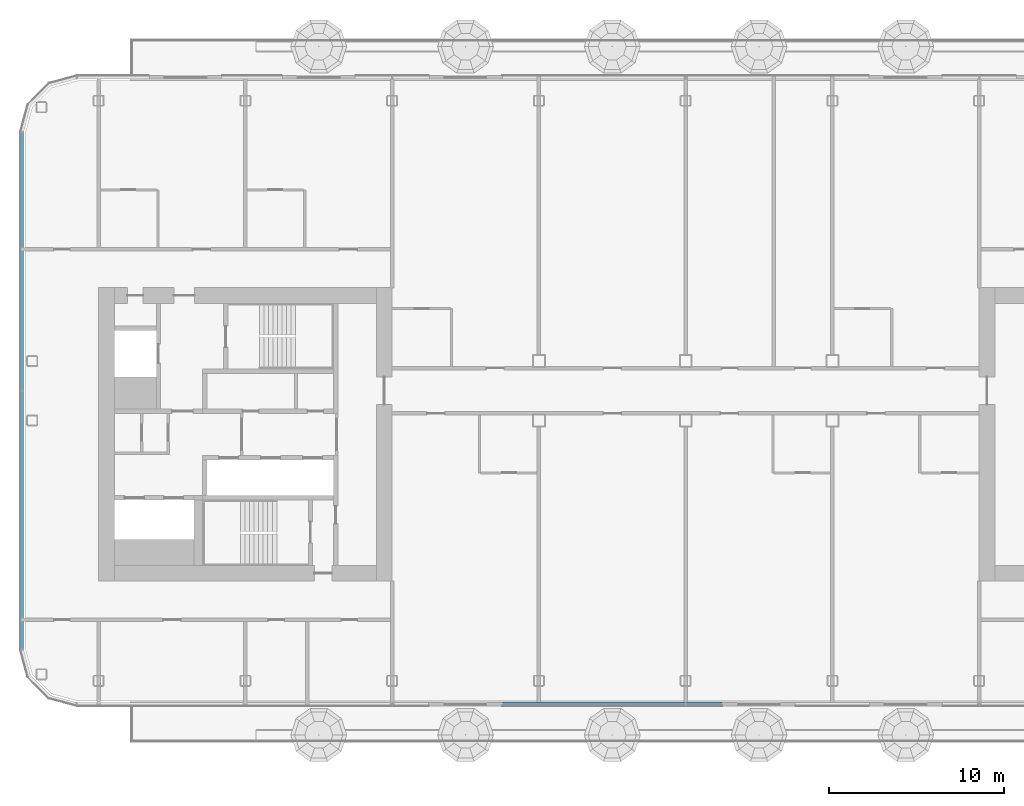
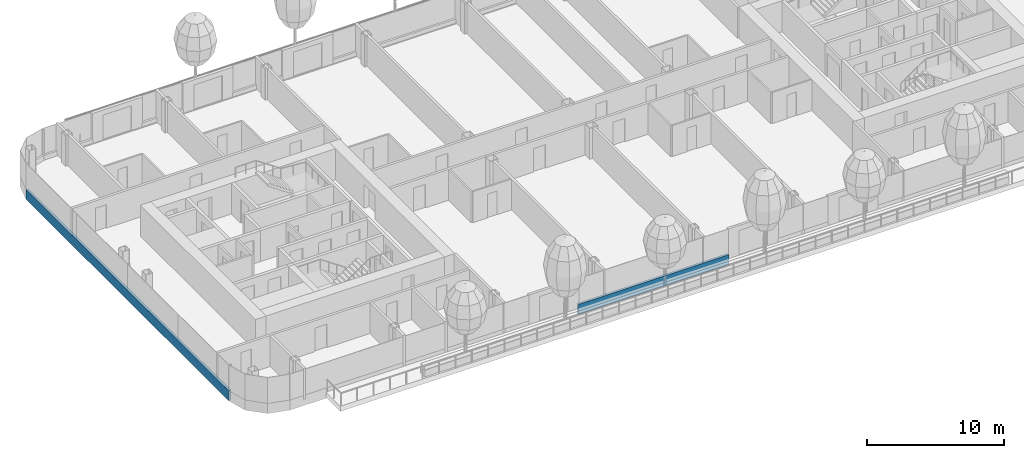
# One storey, part 3 of 28: 2 members, 2 elements without a shape of their own.
"""IFC4 building model written with IfcOpenShell, lengths in metres."""

from ifc_helpers import new_model, si_unit, direction, frame, origin, origin_2d, place, context, subcontext, project, spatial, rectangle, extrude, material, layer, layer_set, material_profile, profile_set, type_object, element, aggregate, save


model = new_model("IFC4")

# Units and contexts
model_context = context("Model", 3, precision=1e-05, world=origin(), true_north=direction((0.0, 1.0)))
body_context = subcontext(model_context, "Body", "Model", "MODEL_VIEW")
ifc_project = project(units=[si_unit("LENGTHUNIT", "METRE"), si_unit("AREAUNIT", "SQUARE_METRE"), si_unit("VOLUMEUNIT", "CUBIC_METRE"), si_unit("PLANEANGLEUNIT", "RADIAN"), si_unit("MASSUNIT", "GRAM", prefix="KILO")], contexts=[model_context])

# Site, building, storey
site_placement = place(None, origin())
site = spatial("IfcSite", under=ifc_project, at=site_placement, CompositionType="ELEMENT")
building_placement = place(site_placement, origin())
building = spatial("IfcBuilding", under=site, at=building_placement, Name="Hakoniwa Tower and Hamabe Station Hall", CompositionType="ELEMENT")
storey_placement = place(building_placement, frame((0.0, 0.0, 218.60009765625)))
storey = spatial("IfcBuildingStorey", under=building, at=storey_placement, Name="L62", CompositionType="ELEMENT", Elevation=218.60009765625)

# Curtain wall, member
ifc_material_1 = material(Name="Dark low-e laminated glass", Category="glass")
ifc_layer = layer(ifc_material_1, 0.199951171875)
ifc_layer_set = layer_set([ifc_layer], Name="CW-1 UNITISED GUEST")
curtain_wall_type = type_object("IfcCurtainWallType", Name="CW-1 UNITISED GUEST", PredefinedType="NOTDEFINED", material=ifc_layer_set)
curtain_wall_1_placement = place(storey_placement, origin())
curtain_wall_1 = element("IfcCurtainWall", 1, at=curtain_wall_1_placement, inside=storey, type_object=curtain_wall_type, Name="CW-1 curtain wall", PredefinedType="NOTDEFINED")
ifc_material_2 = material(Name="Aluminium 6063-T5 black anodised", Category="aluminium")
ifc_material_profile = material_profile(ifc_material_2, rectangle(XDim=0.199951171875, YDim=0.89990234375, at=origin_2d()), Name="CW SLAB-EDGE BAND 900X200")
ifc_profile_set = profile_set([ifc_material_profile], Name="Aluminium 6063-T5 black anodised")
member_type = type_object("IfcMemberType", Name="CW SLAB-EDGE BAND 900X200", PredefinedType="USERDEFINED", material=ifc_profile_set)
member_1_placement = place(storey_placement, frame((-38.0, 17.28955078125, -0.10009765625), z_axis=(0.0, -1.0, 0.0), x_axis=(1.0, 0.0, 0.0)))
member_1 = element("IfcMember", 2, at=member_1_placement, type_object=member_type, Name="CW-1 transom", ObjectType="TRANSOM", PredefinedType="USERDEFINED", context=body_context, shape_type="SweptSolid", body=[
    extrude(rectangle(XDim=0.199951171875, YDim=0.89990234375, at=origin_2d()), origin(), (0.0, 0.0, 1.0), 29.5791015625),
])
aggregate(curtain_wall_1, [member_1])

curtain_wall_2_placement = place(storey_placement, origin())
curtain_wall_2 = element("IfcCurtainWall", 3, at=curtain_wall_2_placement, inside=storey, type_object=curtain_wall_type, Name="CW-1 curtain wall", PredefinedType="NOTDEFINED")
member_2_placement = place(storey_placement, frame((-10.530029296875, -15.449951171875, -0.10009765625), z_axis=(1.0, 0.0, 0.0), x_axis=(0.0, 1.0, 0.0)))
member_2 = element("IfcMember", 4, at=member_2_placement, type_object=member_type, Name="CW-1 transom", ObjectType="TRANSOM", PredefinedType="USERDEFINED", context=body_context, shape_type="SweptSolid", body=[
    extrude(rectangle(XDim=0.199951171875, YDim=0.89990234375, at=origin_2d()), origin(), (0.0, 0.0, 1.0), 12.659912109375),
])
aggregate(curtain_wall_2, [member_2])

save(model, "model.ifc")
